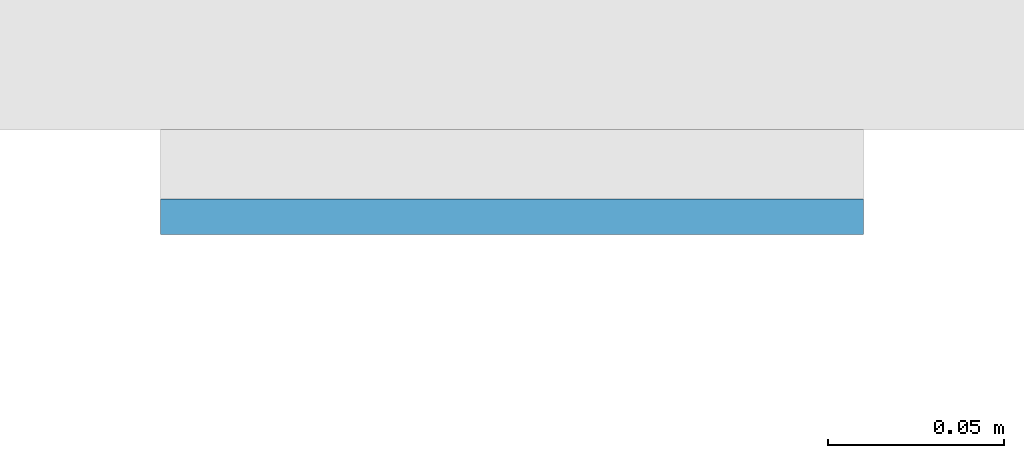
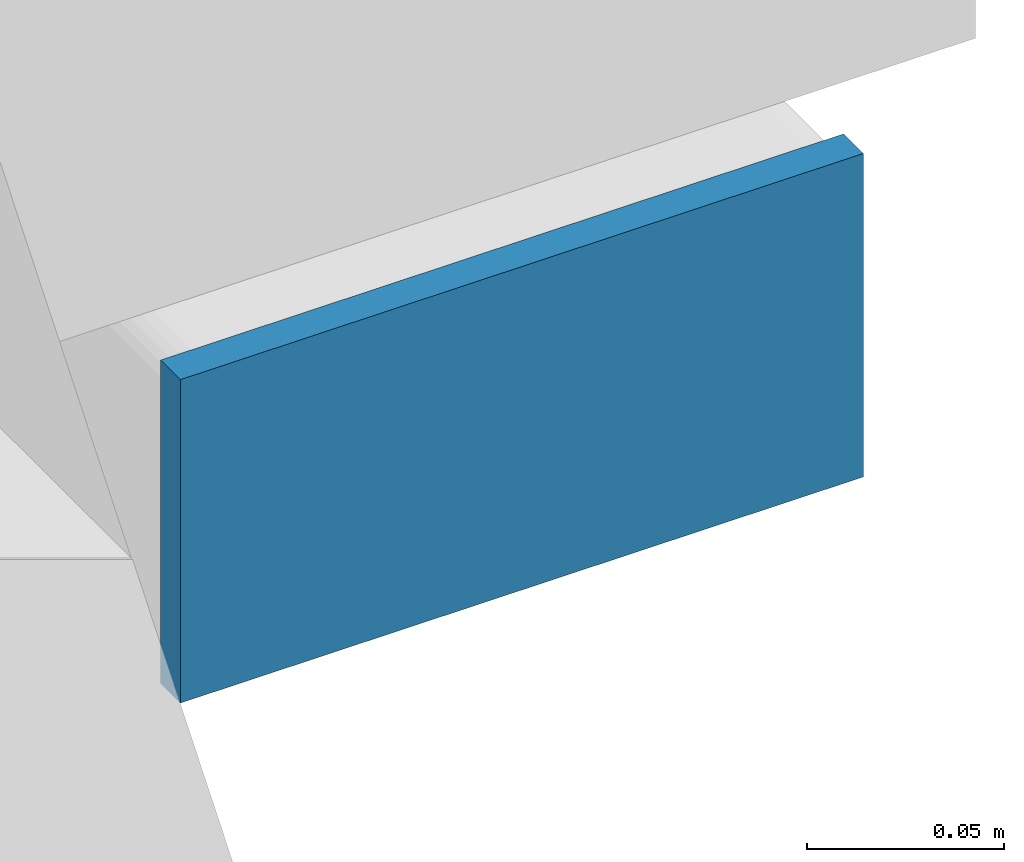
# One storey, part 10 of 21: 1 plate.
"""IFC4 building model written with IfcOpenShell, lengths in metres."""

from ifc_helpers import new_model, si_unit, direction, frame, origin, origin_2d, place, context, subcontext, project, spatial, rectangle, extrude, material, layer, layer_set, type_object, element, save


model = new_model("IFC4")

# Units and contexts
model_context = context("Model", 3, precision=1e-05, world=origin(), true_north=direction((0.0, 1.0)))
body_context = subcontext(model_context, "Body", "Model", "MODEL_VIEW")
ifc_project = project(units=[si_unit("LENGTHUNIT", "METRE"), si_unit("AREAUNIT", "SQUARE_METRE"), si_unit("VOLUMEUNIT", "CUBIC_METRE"), si_unit("PLANEANGLEUNIT", "RADIAN"), si_unit("MASSUNIT", "GRAM", prefix="KILO")], contexts=[model_context])

# Site, building, storey
site_placement = place(None, origin())
site = spatial("IfcSite", under=ifc_project, at=site_placement, CompositionType="ELEMENT")
building_placement = place(site_placement, origin())
building = spatial("IfcBuilding", under=site, at=building_placement, Name="Cleftline Residences", CompositionType="ELEMENT")
storey_placement = place(building_placement, frame((0.0, 0.0, 125.0)))
storey = spatial("IfcBuildingStorey", under=building, at=storey_placement, Name="L32", CompositionType="ELEMENT", Elevation=125.0)

# Plate
ifc_material = material(Name="Steel S355, hot-dip galvanised", Category="steel")
ifc_layer = layer(ifc_material, 0.010009765625)
ifc_layer_set = layer_set([ifc_layer], Name="BAGUETTE CARRIER END PLATE 200X100X10")
plate_type = type_object("IfcPlateType", Name="BAGUETTE CARRIER END PLATE 200X100X10", PredefinedType="USERDEFINED", material=ifc_layer_set)
plate_placement = place(storey_placement, frame((66.85009765625, 3.695068359375, -0.10009765625), z_axis=(0.0, 0.0, 1.0), x_axis=(1.0, 0.0, 0.0)))
element("IfcPlate", 1, at=plate_placement, inside=storey, type_object=plate_type, Name="Baguette carrier end plate", ObjectType="BAGUETTE CARRIER END PLATE", PredefinedType="USERDEFINED", context=body_context, shape_type="SweptSolid", body=[
    extrude(rectangle(XDim=0.199951171875, YDim=0.010009765625, at=origin_2d()), origin(), (0.0, 0.0, 1.0), 0.10009765625),
])

save(model, "model.ifc")
